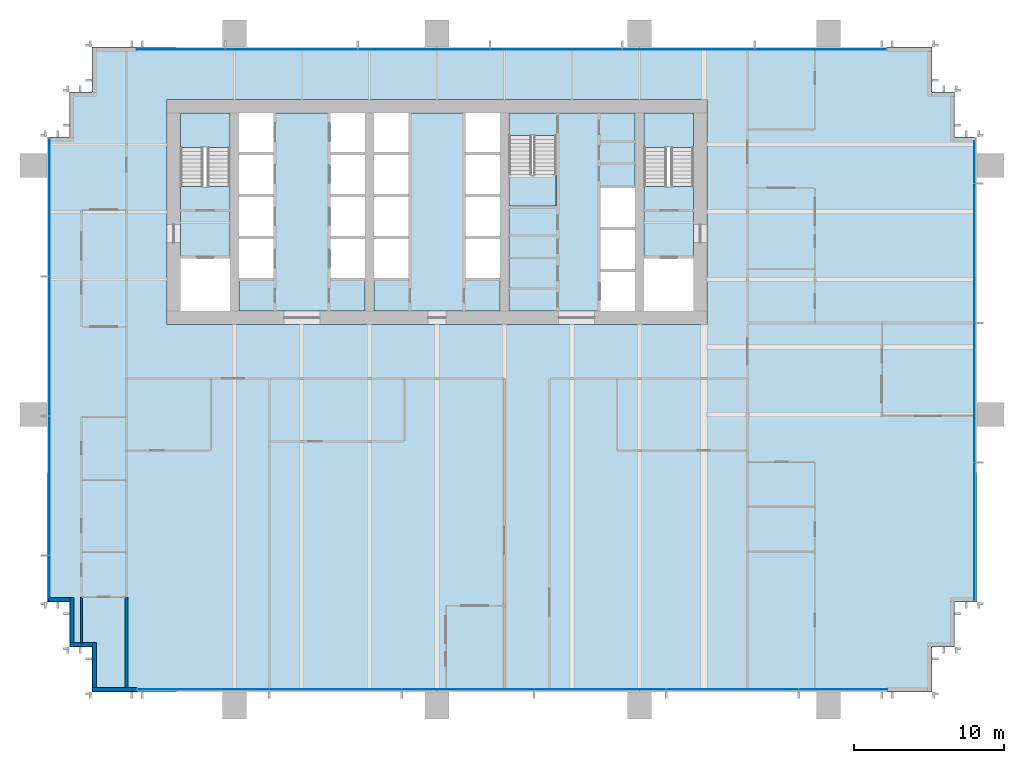
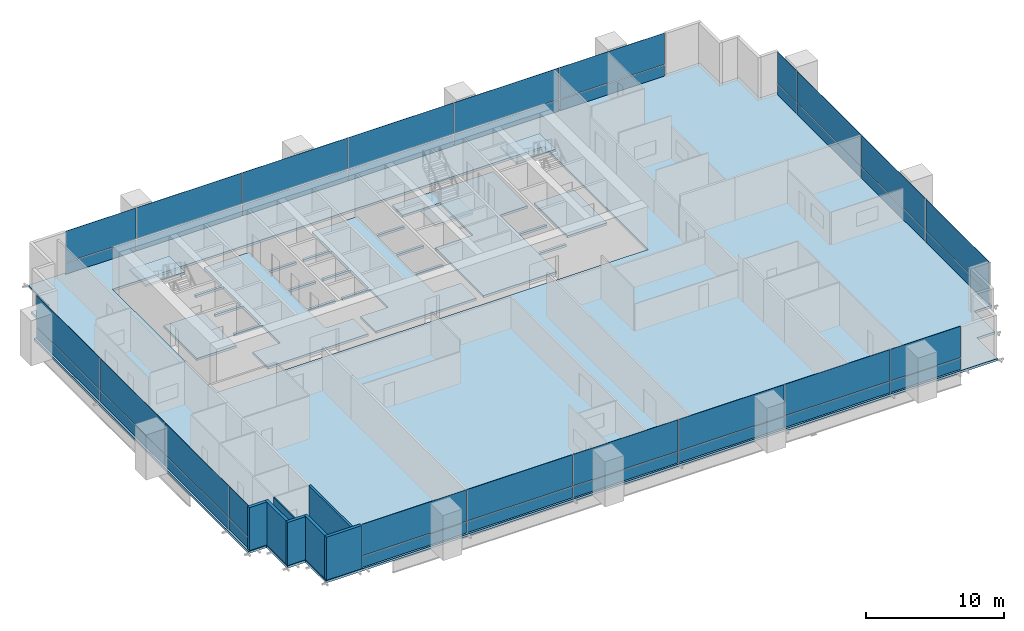
# One storey, part 11 of 17: 40 plates, 9 slabs, 7 walls, 7 elements without a shape of their own.
"""IFC4 building model written with IfcOpenShell, lengths in metres."""

from ifc_helpers import new_model, si_unit, direction, frame, frame_2d, origin, origin_2d, place, context, subcontext, project, spatial, polyline, rectangle, outline, extrude, material, layer, layer_set, type_object, element, aggregate, save


model = new_model("IFC4")

# Units and contexts
model_context = context("Model", 3, precision=1e-05, world=origin(), true_north=direction((0.0, 1.0)))
body_context = subcontext(model_context, "Body", "Model", "MODEL_VIEW")
ifc_project = project(units=[si_unit("LENGTHUNIT", "METRE"), si_unit("AREAUNIT", "SQUARE_METRE"), si_unit("VOLUMEUNIT", "CUBIC_METRE"), si_unit("PLANEANGLEUNIT", "RADIAN"), si_unit("MASSUNIT", "GRAM", prefix="KILO")], contexts=[model_context])

# Site, building, storey
site_placement = place(None, origin())
site = spatial("IfcSite", under=ifc_project, at=site_placement, CompositionType="ELEMENT")
building_placement = place(site_placement, origin())
building = spatial("IfcBuilding", under=site, at=building_placement, Name="Rattan Terrace Tower", CompositionType="ELEMENT")
storey_placement = place(building_placement, frame((0.0, 0.0, 95.699951171875)))
storey = spatial("IfcBuildingStorey", under=building, at=storey_placement, Name="L21", CompositionType="ELEMENT", Elevation=95.699951171875)

# Stair, slab
ifc_material_1 = material(Name="Concrete C40/50", Category="concrete")
stair_type = type_object("IfcStairType", Name="Core exit stair 1500", PredefinedType="HALF_TURN_STAIR", material=ifc_material_1)
stair_1_placement = place(storey_placement, origin())
stair_1 = element("IfcStair", 1, at=stair_1_placement, inside=storey, type_object=stair_type, Name="L21 exit stair 1", PredefinedType="HALF_TURN_STAIR")
ifc_material_2 = material(Name="Concrete C40/50", Category="concrete")
ifc_layer_1 = layer(ifc_material_2, 0.199951171875)
ifc_layer_set_1 = layer_set([ifc_layer_1], Name="Core exit stair landing")
slab_type_1 = type_object("IfcSlabType", Name="Core exit stair landing", PredefinedType="LANDING", material=ifc_layer_set_1)
slab_1_placement = place(storey_placement, frame((0.0, 0.0, 1.800048828125)))
slab_1 = element("IfcSlab", 2, at=slab_1_placement, type_object=slab_type_1, Name="S1 landing 1", PredefinedType="LANDING", context=body_context, shape_type="SweptSolid", body=[
    extrude(outline(polyline([(-13.800048828125, 4.300048828125), (-13.800048828125, 6.60009765625), (-17.10009765625, 6.60009765625), (-17.10009765625, 4.300048828125), (-13.800048828125, 4.300048828125)])), origin(), (0.0, 0.0, 1.0), 0.199951171875),
])
aggregate(stair_1, [slab_1])

stair_2_placement = place(storey_placement, origin())
stair_2 = element("IfcStair", 3, at=stair_2_placement, inside=storey, type_object=stair_type, Name="L21 exit stair 2", PredefinedType="HALF_TURN_STAIR")
slab_2_placement = place(storey_placement, frame((0.0, 0.0, 1.800048828125)))
slab_2 = element("IfcSlab", 4, at=slab_2_placement, type_object=slab_type_1, Name="S2 landing 1", PredefinedType="LANDING", context=body_context, shape_type="SweptSolid", body=[
    extrude(outline(polyline([(17.10009765625, 4.300048828125), (17.10009765625, 6.60009765625), (13.800048828125, 6.60009765625), (13.800048828125, 4.300048828125), (17.10009765625, 4.300048828125)])), origin(), (0.0, 0.0, 1.0), 0.199951171875),
])
aggregate(stair_2, [slab_2])

stair_3_placement = place(storey_placement, origin())
stair_3 = element("IfcStair", 5, at=stair_3_placement, inside=storey, type_object=stair_type, Name="L21 exit stair 3", PredefinedType="HALF_TURN_STAIR")
slab_3_placement = place(storey_placement, frame((0.0, 0.0, 1.800048828125)))
slab_3 = element("IfcSlab", 6, at=slab_3_placement, type_object=slab_type_1, Name="S3 landing 1", PredefinedType="LANDING", context=body_context, shape_type="SweptSolid", body=[
    extrude(outline(polyline([(4.800048828125, 2.5), (4.800048828125, 0.39990234375), (7.949951171875, 0.39990234375), (7.949951171875, 2.5), (4.800048828125, 2.5)])), origin(), (0.0, 0.0, 1.0), 0.199951171875),
])
aggregate(stair_3, [slab_3])

# Curtain wall, plates
ifc_material_3 = material(Name="Aluminium and glass", Category="aluminium")
curtain_wall_type = type_object("IfcCurtainWallType", Name="Facade Unitised Curtain Wall", PredefinedType="NOTDEFINED", material=ifc_material_3)
curtain_wall_1_placement = place(storey_placement, origin())
curtain_wall_1 = element("IfcCurtainWall", 7, at=curtain_wall_1_placement, inside=storey, type_object=curtain_wall_type, Name="Curtain wall L21-1", PredefinedType="NOTDEFINED")
ifc_material_4 = material(Name="Aluminium insulated spandrel panel", Category="aluminium")
ifc_layer_2 = layer(ifc_material_4, 0.028076171875)
ifc_layer_set_2 = layer_set([ifc_layer_2], Name="Facade CW Spandrel Panel")
plate_type_1 = type_object("IfcPlateType", Name="Facade CW Spandrel Panel", PredefinedType="CURTAIN_PANEL", material=ifc_layer_set_2)
plate_1_placement = place(storey_placement, frame((35.830078125, -21.3125, 0.0), z_axis=(0.0, 0.0, 1.0), x_axis=(0.0, 1.0, 0.0)))
plate_1 = element("IfcPlate", 8, at=plate_1_placement, type_object=plate_type_1, Name="Panel cwl-L21-001.1.1", PredefinedType="CURTAIN_PANEL", context=body_context, shape_type="SweptSolid", body=[
    extrude(rectangle(XDim=9.1650390625, YDim=0.028076171875, at=origin_2d()), origin(), (0.0, 0.0, 1.0), 0.969970703125),
])
plate_2_placement = place(storey_placement, frame((35.830078125, -12.050048828125, 0.0), z_axis=(0.0, 0.0, 1.0), x_axis=(0.0, 1.0, 0.0)))
plate_2 = element("IfcPlate", 9, at=plate_2_placement, type_object=plate_type_1, Name="Panel cwl-L21-001.2.1", PredefinedType="CURTAIN_PANEL", context=body_context, shape_type="SweptSolid", body=[
    extrude(rectangle(XDim=9.239990234375, YDim=0.028076171875, at=origin_2d()), origin(), (0.0, 0.0, 1.0), 0.969970703125),
])
plate_3_placement = place(storey_placement, frame((35.830078125, -2.75, 0.0), z_axis=(0.0, 0.0, 1.0), x_axis=(0.0, 1.0, 0.0)))
plate_3 = element("IfcPlate", 10, at=plate_3_placement, type_object=plate_type_1, Name="Panel cwl-L21-001.3.1", PredefinedType="CURTAIN_PANEL", context=body_context, shape_type="SweptSolid", body=[
    extrude(rectangle(XDim=9.239990234375, YDim=0.028076171875, at=origin_2d()), origin(), (0.0, 0.0, 1.0), 0.969970703125),
])
plate_4_placement = place(storey_placement, frame((35.830078125, 3.3173828125, 0.0), z_axis=(0.0, 0.0, 1.0), x_axis=(0.0, 1.0, 0.0)))
plate_4 = element("IfcPlate", 11, at=plate_4_placement, type_object=plate_type_1, Name="Panel cwl-L21-001.4.1", PredefinedType="CURTAIN_PANEL", context=body_context, shape_type="SweptSolid", body=[
    extrude(rectangle(XDim=2.77490234375, YDim=0.028076171875, at=origin_2d()), origin(), (0.0, 0.0, 1.0), 0.969970703125),
])

curtain_wall_2_placement = place(storey_placement, origin())
curtain_wall_2 = element("IfcCurtainWall", 12, at=curtain_wall_2_placement, inside=storey, type_object=curtain_wall_type, Name="Curtain wall L21-2", PredefinedType="NOTDEFINED")
plate_5_placement = place(storey_placement, frame((25.573486328125, 10.830078125, 0.0), z_axis=(0.0, 0.0, 1.0), x_axis=(-1.0, 0.0, 0.0)))
plate_5 = element("IfcPlate", 13, at=plate_5_placement, type_object=plate_type_1, Name="Panel cwl-L21-002.1.1", PredefinedType="CURTAIN_PANEL", context=body_context, shape_type="SweptSolid", body=[
    extrude(rectangle(XDim=8.73291015625, YDim=0.028076171875, at=origin_2d()), origin(), (0.0, 0.0, 1.0), 0.969970703125),
])
plate_6_placement = place(storey_placement, frame((16.765380859375, 10.830078125, 0.0), z_axis=(0.0, 0.0, 1.0), x_axis=(-1.0, 0.0, 0.0)))
plate_6 = element("IfcPlate", 14, at=plate_6_placement, type_object=plate_type_1, Name="Panel cwl-L21-002.2.1", PredefinedType="CURTAIN_PANEL", context=body_context, shape_type="SweptSolid", body=[
    extrude(rectangle(XDim=8.762939453125, YDim=0.028076171875, at=origin_2d()), origin(), (0.0, 0.0, 1.0), 0.969970703125),
])
plate_7_placement = place(storey_placement, frame((7.9423828125, 10.830078125, 0.0), z_axis=(0.0, 0.0, 1.0), x_axis=(-1.0, 0.0, 0.0)))
plate_7 = element("IfcPlate", 15, at=plate_7_placement, type_object=plate_type_1, Name="Panel cwl-L21-002.3.1", PredefinedType="CURTAIN_PANEL", context=body_context, shape_type="SweptSolid", body=[
    extrude(rectangle(XDim=8.762939453125, YDim=0.028076171875, at=origin_2d()), origin(), (0.0, 0.0, 1.0), 0.969970703125),
])
plate_8_placement = place(storey_placement, frame((-0.880615234375, 10.830078125, 0.0), z_axis=(0.0, 0.0, 1.0), x_axis=(-1.0, 0.0, 0.0)))
plate_8 = element("IfcPlate", 16, at=plate_8_placement, type_object=plate_type_1, Name="Panel cwl-L21-002.4.1", PredefinedType="CURTAIN_PANEL", context=body_context, shape_type="SweptSolid", body=[
    extrude(rectangle(XDim=8.762939453125, YDim=0.028076171875, at=origin_2d()), origin(), (0.0, 0.0, 1.0), 0.969970703125),
])
plate_9_placement = place(storey_placement, frame((-9.70361328125, 10.830078125, 0.0), z_axis=(0.0, 0.0, 1.0), x_axis=(-1.0, 0.0, 0.0)))
plate_9 = element("IfcPlate", 17, at=plate_9_placement, type_object=plate_type_1, Name="Panel cwl-L21-002.5.1", PredefinedType="CURTAIN_PANEL", context=body_context, shape_type="SweptSolid", body=[
    extrude(rectangle(XDim=8.762939453125, YDim=0.028076171875, at=origin_2d()), origin(), (0.0, 0.0, 1.0), 0.969970703125),
])
plate_10_placement = place(storey_placement, frame((-17.072509765625, 10.830078125, 0.0), z_axis=(0.0, 0.0, 1.0), x_axis=(-1.0, 0.0, 0.0)))
plate_10 = element("IfcPlate", 18, at=plate_10_placement, type_object=plate_type_1, Name="Panel cwl-L21-002.6.1", PredefinedType="CURTAIN_PANEL", context=body_context, shape_type="SweptSolid", body=[
    extrude(rectangle(XDim=5.85498046875, YDim=0.028076171875, at=origin_2d()), origin(), (0.0, 0.0, 1.0), 0.969970703125),
])

curtain_wall_3_placement = place(storey_placement, origin())
curtain_wall_3 = element("IfcCurtainWall", 19, at=curtain_wall_3_placement, inside=storey, type_object=curtain_wall_type, Name="Curtain wall L21-3", PredefinedType="NOTDEFINED")
plate_11_placement = place(storey_placement, frame((-25.830078125, 0.3125, 0.0), z_axis=(0.0, 0.0, 1.0), x_axis=(0.0, -1.0, 0.0)))
plate_11 = element("IfcPlate", 20, at=plate_11_placement, type_object=plate_type_1, Name="Panel cwl-L21-003.1.1", PredefinedType="CURTAIN_PANEL", context=body_context, shape_type="SweptSolid", body=[
    extrude(rectangle(XDim=9.1650390625, YDim=0.028076171875, at=origin_2d()), origin(), (0.0, 0.0, 1.0), 0.969970703125),
])
plate_12_placement = place(storey_placement, frame((-25.830078125, -8.949951171875, 0.0), z_axis=(0.0, 0.0, 1.0), x_axis=(0.0, -1.0, 0.0)))
plate_12 = element("IfcPlate", 21, at=plate_12_placement, type_object=plate_type_1, Name="Panel cwl-L21-003.2.1", PredefinedType="CURTAIN_PANEL", context=body_context, shape_type="SweptSolid", body=[
    extrude(rectangle(XDim=9.239990234375, YDim=0.028076171875, at=origin_2d()), origin(), (0.0, 0.0, 1.0), 0.969970703125),
])
plate_13_placement = place(storey_placement, frame((-25.830078125, -18.25, 0.0), z_axis=(0.0, 0.0, 1.0), x_axis=(0.0, -1.0, 0.0)))
plate_13 = element("IfcPlate", 22, at=plate_13_placement, type_object=plate_type_1, Name="Panel cwl-L21-003.3.1", PredefinedType="CURTAIN_PANEL", context=body_context, shape_type="SweptSolid", body=[
    extrude(rectangle(XDim=9.239990234375, YDim=0.028076171875, at=origin_2d()), origin(), (0.0, 0.0, 1.0), 0.969970703125),
])
plate_14_placement = place(storey_placement, frame((-25.830078125, -24.3173828125, 0.0), z_axis=(0.0, 0.0, 1.0), x_axis=(0.0, -1.0, 0.0)))
plate_14 = element("IfcPlate", 23, at=plate_14_placement, type_object=plate_type_1, Name="Panel cwl-L21-003.4.1", PredefinedType="CURTAIN_PANEL", context=body_context, shape_type="SweptSolid", body=[
    extrude(rectangle(XDim=2.77490234375, YDim=0.028076171875, at=origin_2d()), origin(), (0.0, 0.0, 1.0), 0.969970703125),
])

curtain_wall_4_placement = place(storey_placement, origin())
curtain_wall_4 = element("IfcCurtainWall", 24, at=curtain_wall_4_placement, inside=storey, type_object=curtain_wall_type, Name="Curtain wall L21-4", PredefinedType="NOTDEFINED")
plate_15_placement = place(storey_placement, frame((-15.573486328125, -31.830078125, 0.0), z_axis=(0.0, 0.0, 1.0), x_axis=(1.0, 0.0, 0.0)))
plate_15 = element("IfcPlate", 25, at=plate_15_placement, type_object=plate_type_1, Name="Panel cwl-L21-004.1.1", PredefinedType="CURTAIN_PANEL", context=body_context, shape_type="SweptSolid", body=[
    extrude(rectangle(XDim=8.73291015625, YDim=0.028076171875, at=origin_2d()), origin(), (0.0, 0.0, 1.0), 0.969970703125),
])
plate_16_placement = place(storey_placement, frame((-6.765380859375, -31.830078125, 0.0), z_axis=(0.0, 0.0, 1.0), x_axis=(1.0, 0.0, 0.0)))
plate_16 = element("IfcPlate", 26, at=plate_16_placement, type_object=plate_type_1, Name="Panel cwl-L21-004.2.1", PredefinedType="CURTAIN_PANEL", context=body_context, shape_type="SweptSolid", body=[
    extrude(rectangle(XDim=8.762939453125, YDim=0.028076171875, at=origin_2d()), origin(), (0.0, 0.0, 1.0), 0.969970703125),
])
plate_17_placement = place(storey_placement, frame((2.0576171875, -31.830078125, 0.0), z_axis=(0.0, 0.0, 1.0), x_axis=(1.0, 0.0, 0.0)))
plate_17 = element("IfcPlate", 27, at=plate_17_placement, type_object=plate_type_1, Name="Panel cwl-L21-004.3.1", PredefinedType="CURTAIN_PANEL", context=body_context, shape_type="SweptSolid", body=[
    extrude(rectangle(XDim=8.762939453125, YDim=0.028076171875, at=origin_2d()), origin(), (0.0, 0.0, 1.0), 0.969970703125),
])
plate_18_placement = place(storey_placement, frame((10.880615234375, -31.830078125, 0.0), z_axis=(0.0, 0.0, 1.0), x_axis=(1.0, 0.0, 0.0)))
plate_18 = element("IfcPlate", 28, at=plate_18_placement, type_object=plate_type_1, Name="Panel cwl-L21-004.4.1", PredefinedType="CURTAIN_PANEL", context=body_context, shape_type="SweptSolid", body=[
    extrude(rectangle(XDim=8.762939453125, YDim=0.028076171875, at=origin_2d()), origin(), (0.0, 0.0, 1.0), 0.969970703125),
])
plate_19_placement = place(storey_placement, frame((19.70361328125, -31.830078125, 0.0), z_axis=(0.0, 0.0, 1.0), x_axis=(1.0, 0.0, 0.0)))
plate_19 = element("IfcPlate", 29, at=plate_19_placement, type_object=plate_type_1, Name="Panel cwl-L21-004.5.1", PredefinedType="CURTAIN_PANEL", context=body_context, shape_type="SweptSolid", body=[
    extrude(rectangle(XDim=8.762939453125, YDim=0.028076171875, at=origin_2d()), origin(), (0.0, 0.0, 1.0), 0.969970703125),
])
plate_20_placement = place(storey_placement, frame((27.072509765625, -31.830078125, 0.0), z_axis=(0.0, 0.0, 1.0), x_axis=(1.0, 0.0, 0.0)))
plate_20 = element("IfcPlate", 30, at=plate_20_placement, type_object=plate_type_1, Name="Panel cwl-L21-004.6.1", PredefinedType="CURTAIN_PANEL", context=body_context, shape_type="SweptSolid", body=[
    extrude(rectangle(XDim=5.85498046875, YDim=0.028076171875, at=origin_2d()), origin(), (0.0, 0.0, 1.0), 0.969970703125),
])

# Plate
ifc_material_5 = material(Name="Clear low-iron glass", Category="glass")
ifc_layer_3 = layer(ifc_material_5, 0.028076171875)
ifc_layer_set_3 = layer_set([ifc_layer_3], Name="Facade CW Vision Panel")
plate_type_2 = type_object("IfcPlateType", Name="Facade CW Vision Panel", PredefinedType="CURTAIN_PANEL", material=ifc_layer_set_3)
plate_21_placement = place(storey_placement, frame((35.830078125, -21.3125, 1.030029296875), z_axis=(0.0, 0.0, 1.0), x_axis=(0.0, 1.0, 0.0)))
plate_21 = element("IfcPlate", 31, at=plate_21_placement, type_object=plate_type_2, Name="Panel cwl-L21-001.1.2", PredefinedType="CURTAIN_PANEL", context=body_context, shape_type="SweptSolid", body=[
    extrude(rectangle(XDim=9.1650390625, YDim=0.028076171875, at=origin_2d()), origin(), (0.0, 0.0, 1.0), 2.77001953125),
])

plate_22_placement = place(storey_placement, frame((35.830078125, -12.050048828125, 1.030029296875), z_axis=(0.0, 0.0, 1.0), x_axis=(0.0, 1.0, 0.0)))
plate_22 = element("IfcPlate", 32, at=plate_22_placement, type_object=plate_type_2, Name="Panel cwl-L21-001.2.2", PredefinedType="CURTAIN_PANEL", context=body_context, shape_type="SweptSolid", body=[
    extrude(rectangle(XDim=9.239990234375, YDim=0.028076171875, at=origin_2d()), origin(), (0.0, 0.0, 1.0), 2.77001953125),
])

plate_23_placement = place(storey_placement, frame((35.830078125, -2.75, 1.030029296875), z_axis=(0.0, 0.0, 1.0), x_axis=(0.0, 1.0, 0.0)))
plate_23 = element("IfcPlate", 33, at=plate_23_placement, type_object=plate_type_2, Name="Panel cwl-L21-001.3.2", PredefinedType="CURTAIN_PANEL", context=body_context, shape_type="SweptSolid", body=[
    extrude(rectangle(XDim=9.239990234375, YDim=0.028076171875, at=origin_2d()), origin(), (0.0, 0.0, 1.0), 2.77001953125),
])

plate_24_placement = place(storey_placement, frame((35.830078125, 3.3173828125, 1.030029296875), z_axis=(0.0, 0.0, 1.0), x_axis=(0.0, 1.0, 0.0)))
plate_24 = element("IfcPlate", 34, at=plate_24_placement, type_object=plate_type_2, Name="Panel cwl-L21-001.4.2", PredefinedType="CURTAIN_PANEL", context=body_context, shape_type="SweptSolid", body=[
    extrude(rectangle(XDim=2.77490234375, YDim=0.028076171875, at=origin_2d()), origin(), (0.0, 0.0, 1.0), 2.77001953125),
])

aggregate(curtain_wall_1, [plate_1, plate_21, plate_2, plate_22, plate_3, plate_23, plate_4, plate_24])

plate_25_placement = place(storey_placement, frame((25.573486328125, 10.830078125, 1.030029296875), z_axis=(0.0, 0.0, 1.0), x_axis=(-1.0, 0.0, 0.0)))
plate_25 = element("IfcPlate", 35, at=plate_25_placement, type_object=plate_type_2, Name="Panel cwl-L21-002.1.2", PredefinedType="CURTAIN_PANEL", context=body_context, shape_type="SweptSolid", body=[
    extrude(rectangle(XDim=8.73291015625, YDim=0.028076171875, at=origin_2d()), origin(), (0.0, 0.0, 1.0), 2.77001953125),
])

plate_26_placement = place(storey_placement, frame((16.765380859375, 10.830078125, 1.030029296875), z_axis=(0.0, 0.0, 1.0), x_axis=(-1.0, 0.0, 0.0)))
plate_26 = element("IfcPlate", 36, at=plate_26_placement, type_object=plate_type_2, Name="Panel cwl-L21-002.2.2", PredefinedType="CURTAIN_PANEL", context=body_context, shape_type="SweptSolid", body=[
    extrude(rectangle(XDim=8.762939453125, YDim=0.028076171875, at=origin_2d()), origin(), (0.0, 0.0, 1.0), 2.77001953125),
])

plate_27_placement = place(storey_placement, frame((7.9423828125, 10.830078125, 1.030029296875), z_axis=(0.0, 0.0, 1.0), x_axis=(-1.0, 0.0, 0.0)))
plate_27 = element("IfcPlate", 37, at=plate_27_placement, type_object=plate_type_2, Name="Panel cwl-L21-002.3.2", PredefinedType="CURTAIN_PANEL", context=body_context, shape_type="SweptSolid", body=[
    extrude(rectangle(XDim=8.762939453125, YDim=0.028076171875, at=origin_2d()), origin(), (0.0, 0.0, 1.0), 2.77001953125),
])

plate_28_placement = place(storey_placement, frame((-0.880615234375, 10.830078125, 1.030029296875), z_axis=(0.0, 0.0, 1.0), x_axis=(-1.0, 0.0, 0.0)))
plate_28 = element("IfcPlate", 38, at=plate_28_placement, type_object=plate_type_2, Name="Panel cwl-L21-002.4.2", PredefinedType="CURTAIN_PANEL", context=body_context, shape_type="SweptSolid", body=[
    extrude(rectangle(XDim=8.762939453125, YDim=0.028076171875, at=origin_2d()), origin(), (0.0, 0.0, 1.0), 2.77001953125),
])

plate_29_placement = place(storey_placement, frame((-9.70361328125, 10.830078125, 1.030029296875), z_axis=(0.0, 0.0, 1.0), x_axis=(-1.0, 0.0, 0.0)))
plate_29 = element("IfcPlate", 39, at=plate_29_placement, type_object=plate_type_2, Name="Panel cwl-L21-002.5.2", PredefinedType="CURTAIN_PANEL", context=body_context, shape_type="SweptSolid", body=[
    extrude(rectangle(XDim=8.762939453125, YDim=0.028076171875, at=origin_2d()), origin(), (0.0, 0.0, 1.0), 2.77001953125),
])

plate_30_placement = place(storey_placement, frame((-17.072509765625, 10.830078125, 1.030029296875), z_axis=(0.0, 0.0, 1.0), x_axis=(-1.0, 0.0, 0.0)))
plate_30 = element("IfcPlate", 40, at=plate_30_placement, type_object=plate_type_2, Name="Panel cwl-L21-002.6.2", PredefinedType="CURTAIN_PANEL", context=body_context, shape_type="SweptSolid", body=[
    extrude(rectangle(XDim=5.85498046875, YDim=0.028076171875, at=origin_2d()), origin(), (0.0, 0.0, 1.0), 2.77001953125),
])

aggregate(curtain_wall_2, [plate_5, plate_25, plate_6, plate_26, plate_7, plate_27, plate_8, plate_28, plate_9, plate_29, plate_10, plate_30])

plate_31_placement = place(storey_placement, frame((-25.830078125, 0.3125, 1.030029296875), z_axis=(0.0, 0.0, 1.0), x_axis=(0.0, -1.0, 0.0)))
plate_31 = element("IfcPlate", 41, at=plate_31_placement, type_object=plate_type_2, Name="Panel cwl-L21-003.1.2", PredefinedType="CURTAIN_PANEL", context=body_context, shape_type="SweptSolid", body=[
    extrude(rectangle(XDim=9.1650390625, YDim=0.028076171875, at=origin_2d()), origin(), (0.0, 0.0, 1.0), 2.77001953125),
])

plate_32_placement = place(storey_placement, frame((-25.830078125, -8.949951171875, 1.030029296875), z_axis=(0.0, 0.0, 1.0), x_axis=(0.0, -1.0, 0.0)))
plate_32 = element("IfcPlate", 42, at=plate_32_placement, type_object=plate_type_2, Name="Panel cwl-L21-003.2.2", PredefinedType="CURTAIN_PANEL", context=body_context, shape_type="SweptSolid", body=[
    extrude(rectangle(XDim=9.239990234375, YDim=0.028076171875, at=origin_2d()), origin(), (0.0, 0.0, 1.0), 2.77001953125),
])

plate_33_placement = place(storey_placement, frame((-25.830078125, -18.25, 1.030029296875), z_axis=(0.0, 0.0, 1.0), x_axis=(0.0, -1.0, 0.0)))
plate_33 = element("IfcPlate", 43, at=plate_33_placement, type_object=plate_type_2, Name="Panel cwl-L21-003.3.2", PredefinedType="CURTAIN_PANEL", context=body_context, shape_type="SweptSolid", body=[
    extrude(rectangle(XDim=9.239990234375, YDim=0.028076171875, at=origin_2d()), origin(), (0.0, 0.0, 1.0), 2.77001953125),
])

plate_34_placement = place(storey_placement, frame((-25.830078125, -24.3173828125, 1.030029296875), z_axis=(0.0, 0.0, 1.0), x_axis=(0.0, -1.0, 0.0)))
plate_34 = element("IfcPlate", 44, at=plate_34_placement, type_object=plate_type_2, Name="Panel cwl-L21-003.4.2", PredefinedType="CURTAIN_PANEL", context=body_context, shape_type="SweptSolid", body=[
    extrude(rectangle(XDim=2.77490234375, YDim=0.028076171875, at=origin_2d()), origin(), (0.0, 0.0, 1.0), 2.77001953125),
])

aggregate(curtain_wall_3, [plate_11, plate_31, plate_12, plate_32, plate_13, plate_33, plate_14, plate_34])

plate_35_placement = place(storey_placement, frame((-15.573486328125, -31.830078125, 1.030029296875), z_axis=(0.0, 0.0, 1.0), x_axis=(1.0, 0.0, 0.0)))
plate_35 = element("IfcPlate", 45, at=plate_35_placement, type_object=plate_type_2, Name="Panel cwl-L21-004.1.2", PredefinedType="CURTAIN_PANEL", context=body_context, shape_type="SweptSolid", body=[
    extrude(rectangle(XDim=8.73291015625, YDim=0.028076171875, at=origin_2d()), origin(), (0.0, 0.0, 1.0), 2.77001953125),
])

plate_36_placement = place(storey_placement, frame((-6.765380859375, -31.830078125, 1.030029296875), z_axis=(0.0, 0.0, 1.0), x_axis=(1.0, 0.0, 0.0)))
plate_36 = element("IfcPlate", 46, at=plate_36_placement, type_object=plate_type_2, Name="Panel cwl-L21-004.2.2", PredefinedType="CURTAIN_PANEL", context=body_context, shape_type="SweptSolid", body=[
    extrude(rectangle(XDim=8.762939453125, YDim=0.028076171875, at=origin_2d()), origin(), (0.0, 0.0, 1.0), 2.77001953125),
])

plate_37_placement = place(storey_placement, frame((2.0576171875, -31.830078125, 1.030029296875), z_axis=(0.0, 0.0, 1.0), x_axis=(1.0, 0.0, 0.0)))
plate_37 = element("IfcPlate", 47, at=plate_37_placement, type_object=plate_type_2, Name="Panel cwl-L21-004.3.2", PredefinedType="CURTAIN_PANEL", context=body_context, shape_type="SweptSolid", body=[
    extrude(rectangle(XDim=8.762939453125, YDim=0.028076171875, at=origin_2d()), origin(), (0.0, 0.0, 1.0), 2.77001953125),
])

plate_38_placement = place(storey_placement, frame((10.880615234375, -31.830078125, 1.030029296875), z_axis=(0.0, 0.0, 1.0), x_axis=(1.0, 0.0, 0.0)))
plate_38 = element("IfcPlate", 48, at=plate_38_placement, type_object=plate_type_2, Name="Panel cwl-L21-004.4.2", PredefinedType="CURTAIN_PANEL", context=body_context, shape_type="SweptSolid", body=[
    extrude(rectangle(XDim=8.762939453125, YDim=0.028076171875, at=origin_2d()), origin(), (0.0, 0.0, 1.0), 2.77001953125),
])

plate_39_placement = place(storey_placement, frame((19.70361328125, -31.830078125, 1.030029296875), z_axis=(0.0, 0.0, 1.0), x_axis=(1.0, 0.0, 0.0)))
plate_39 = element("IfcPlate", 49, at=plate_39_placement, type_object=plate_type_2, Name="Panel cwl-L21-004.5.2", PredefinedType="CURTAIN_PANEL", context=body_context, shape_type="SweptSolid", body=[
    extrude(rectangle(XDim=8.762939453125, YDim=0.028076171875, at=origin_2d()), origin(), (0.0, 0.0, 1.0), 2.77001953125),
])

plate_40_placement = place(storey_placement, frame((27.072509765625, -31.830078125, 1.030029296875), z_axis=(0.0, 0.0, 1.0), x_axis=(1.0, 0.0, 0.0)))
plate_40 = element("IfcPlate", 50, at=plate_40_placement, type_object=plate_type_2, Name="Panel cwl-L21-004.6.2", PredefinedType="CURTAIN_PANEL", context=body_context, shape_type="SweptSolid", body=[
    extrude(rectangle(XDim=5.85498046875, YDim=0.028076171875, at=origin_2d()), origin(), (0.0, 0.0, 1.0), 2.77001953125),
])

aggregate(curtain_wall_4, [plate_15, plate_35, plate_16, plate_36, plate_17, plate_37, plate_18, plate_38, plate_19, plate_39, plate_20, plate_40])

# Slabs
ifc_material_6 = material(Name="Concrete C35/45", Category="concrete")
ifc_layer_4 = layer(ifc_material_6, 0.199951171875)
ifc_layer_set_4 = layer_set([ifc_layer_4], Name="Frame composite floor slab 200")
slab_type_2 = type_object("IfcSlabType", Name="Frame composite floor slab 200", PredefinedType="FLOOR", material=ifc_layer_set_4)
slab_4_placement = place(storey_placement, frame((0.0, 0.0, -0.199951171875)))
element("IfcSlab", 51, at=slab_4_placement, inside=storey, type_object=slab_type_2, Name="Floor slab", PredefinedType="FLOOR", context=body_context, shape_type="SweptSolid", body=[
    extrude(outline(polyline([(-20.0, -32.0), (30.0, -32.0), (33.0, -32.0), (33.0, -29.0), (34.5, -29.0), (34.5, -26.0), (36.0, -26.0), (36.0, 5.0), (34.5, 5.0), (34.5, 8.0), (33.0, 8.0), (33.0, 11.0), (30.0, 11.0), (-20.0, 11.0), (-23.0, 11.0), (-23.0, 8.0), (-24.5, 8.0), (-24.5, 5.0), (-26.0, 5.0), (-26.0, -26.0), (-24.5, -26.0), (-24.5, -29.0), (-23.0, -29.0), (-23.0, -32.0), (-20.0, -32.0)]), holes=[polyline([(-18.0, -6.60009765625), (-18.0, -7.5), (18.0, -7.5), (18.0, -6.60009765625), (18.0, 6.60009765625), (18.0, 7.5), (-18.0, 7.5), (-18.0, 6.60009765625), (-18.0, -6.60009765625)])]), origin(), (0.0, 0.0, 1.0), 0.199951171875),
])
slab_5_placement = place(storey_placement, frame((0.0, 0.0, -0.199951171875)))
element("IfcSlab", 52, at=slab_5_placement, inside=storey, type_object=slab_type_2, Name="Floor slab", PredefinedType="FLOOR", context=body_context, shape_type="SweptSolid", body=[
    extrude(outline(polyline([(-10.89990234375, 6.60009765625), (-10.89990234375, 4.0), (-13.199951171875, 4.0), (-13.199951171875, 3.800048828125), (-10.89990234375, 3.800048828125), (-10.89990234375, 1.199951171875), (-13.199951171875, 1.199951171875), (-13.199951171875, 1.0), (-10.89990234375, 1.0), (-10.89990234375, -1.60009765625), (-13.199951171875, -1.60009765625), (-13.199951171875, -1.800048828125), (-10.89990234375, -1.800048828125), (-10.89990234375, -4.39990234375), (-13.199951171875, -4.39990234375), (-13.199951171875, -6.60009765625), (-4.800048828125, -6.60009765625), (-4.800048828125, -4.39990234375), (-7.10009765625, -4.39990234375), (-7.10009765625, -1.800048828125), (-4.800048828125, -1.800048828125), (-4.800048828125, -1.60009765625), (-7.10009765625, -1.60009765625), (-7.10009765625, 1.0), (-4.800048828125, 1.0), (-4.800048828125, 1.199951171875), (-7.10009765625, 1.199951171875), (-7.10009765625, 3.800048828125), (-4.800048828125, 3.800048828125), (-4.800048828125, 4.0), (-7.10009765625, 4.0), (-7.10009765625, 6.60009765625), (-10.89990234375, 6.60009765625)])), origin(), (0.0, 0.0, 1.0), 0.199951171875),
])
slab_6_placement = place(storey_placement, frame((0.0, 0.0, -0.199951171875)))
element("IfcSlab", 53, at=slab_6_placement, inside=storey, type_object=slab_type_2, Name="Floor slab", PredefinedType="FLOOR", context=body_context, shape_type="SweptSolid", body=[
    extrude(outline(polyline([(-17.10009765625, -3.10009765625), (-13.800048828125, -3.10009765625), (-13.800048828125, 1.7099609375), (-17.10009765625, 1.7099609375), (-17.10009765625, -3.10009765625)])), origin(), (0.0, 0.0, 1.0), 0.199951171875),
])
slab_7_placement = place(storey_placement, frame((0.0, 0.0, -0.199951171875)))
element("IfcSlab", 54, at=slab_7_placement, inside=storey, type_object=slab_type_2, Name="Floor slab", PredefinedType="FLOOR", context=body_context, shape_type="SweptSolid", body=[
    extrude(outline(polyline([(-4.199951171875, 4.0), (-4.199951171875, 3.800048828125), (-1.89990234375, 3.800048828125), (-1.89990234375, 1.199951171875), (-4.199951171875, 1.199951171875), (-4.199951171875, 1.0), (-1.89990234375, 1.0), (-1.89990234375, -1.60009765625), (-4.199951171875, -1.60009765625), (-4.199951171875, -1.800048828125), (-1.89990234375, -1.800048828125), (-1.89990234375, -4.39990234375), (-4.199951171875, -4.39990234375), (-4.199951171875, -6.60009765625), (4.199951171875, -6.60009765625), (4.199951171875, -4.39990234375), (1.89990234375, -4.39990234375), (1.89990234375, -1.800048828125), (4.199951171875, -1.800048828125), (4.199951171875, -1.60009765625), (1.89990234375, -1.60009765625), (1.89990234375, 1.0), (4.199951171875, 1.0), (4.199951171875, 1.199951171875), (1.89990234375, 1.199951171875), (1.89990234375, 3.800048828125), (4.199951171875, 3.800048828125), (4.199951171875, 4.0), (1.89990234375, 4.0), (1.89990234375, 6.60009765625), (-1.89990234375, 6.60009765625), (-1.89990234375, 4.0), (-4.199951171875, 4.0)])), origin(), (0.0, 0.0, 1.0), 0.199951171875),
])
slab_8_placement = place(storey_placement, frame((0.0, 0.0, -0.199951171875)))
element("IfcSlab", 55, at=slab_8_placement, inside=storey, type_object=slab_type_2, Name="Floor slab", PredefinedType="FLOOR", context=body_context, shape_type="SweptSolid", body=[
    extrude(outline(polyline([(4.800048828125, 5.090087890625), (7.949951171875, 5.090087890625), (7.949951171875, 0.39990234375), (4.800048828125, 0.39990234375), (4.800048828125, -6.60009765625), (10.89990234375, -6.60009765625), (10.89990234375, -4.0), (13.199951171875, -4.0), (13.199951171875, -3.800048828125), (10.89990234375, -3.800048828125), (10.89990234375, -1.199951171875), (13.199951171875, -1.199951171875), (13.199951171875, -1.0), (10.89990234375, -1.0), (10.89990234375, 1.60009765625), (13.199951171875, 1.60009765625), (13.199951171875, 6.60009765625), (4.800048828125, 6.60009765625), (4.800048828125, 5.090087890625)])), origin(), (0.0, 0.0, 1.0), 0.199951171875),
])
slab_9_placement = place(storey_placement, frame((0.0, 0.0, -0.199951171875)))
element("IfcSlab", 56, at=slab_9_placement, inside=storey, type_object=slab_type_2, Name="Floor slab", PredefinedType="FLOOR", context=body_context, shape_type="SweptSolid", body=[
    extrude(outline(polyline([(13.800048828125, -3.10009765625), (17.10009765625, -3.10009765625), (17.10009765625, 1.7099609375), (13.800048828125, 1.7099609375), (13.800048828125, -3.10009765625)])), origin(), (0.0, 0.0, 1.0), 0.199951171875),
])

# Walls
ifc_material_7 = material(Name="Insulated aluminium-clad stud wall", Category="aluminium")
ifc_layer_5 = layer(ifc_material_7, 0.25)
ifc_layer_set_5 = layer_set([ifc_layer_5], Name="Facade Riser Wall 250")
wall_type_1 = type_object("IfcWallType", Name="Facade Riser Wall 250", PredefinedType="SOLIDWALL", material=ifc_layer_set_5)
wall_1_placement = place(storey_placement, frame((-25.909912109375, -25.830078125, 0.0), z_axis=(0.0, 0.0, 1.0), x_axis=(1.0, 0.0, 0.0)))
element("IfcWall", 57, at=wall_1_placement, inside=storey, type_object=wall_type_1, Name="Riser wall L21-16", PredefinedType="SOLIDWALL", context=body_context, shape_type="SweptSolid", body=[
    extrude(rectangle(XDim=1.454833984375, YDim=0.25, at=frame_2d((0.7275390625, 0.0))), origin(), (0.0, 0.0, 1.0), 3.800048828125),
])
wall_2_placement = place(storey_placement, frame((-24.330078125, -25.705078125, 0.0), z_axis=(0.0, 0.0, 1.0), x_axis=(0.0, -1.0, 0.0)))
element("IfcWall", 58, at=wall_2_placement, inside=storey, type_object=wall_type_1, Name="Riser wall L21-17", PredefinedType="SOLIDWALL", context=body_context, shape_type="SweptSolid", body=[
    extrude(rectangle(XDim=3.0, YDim=0.25, at=frame_2d((1.5, 0.0))), origin(), (0.0, 0.0, 1.0), 3.800048828125),
])
wall_3_placement = place(storey_placement, frame((-24.455078125, -28.830078125, 0.0), z_axis=(0.0, 0.0, 1.0), x_axis=(1.0, 0.0, 0.0)))
element("IfcWall", 59, at=wall_3_placement, inside=storey, type_object=wall_type_1, Name="Riser wall L21-18", PredefinedType="SOLIDWALL", context=body_context, shape_type="SweptSolid", body=[
    extrude(rectangle(XDim=1.5, YDim=0.25, at=frame_2d((0.75, 0.0))), origin(), (0.0, 0.0, 1.0), 3.800048828125),
])
wall_4_placement = place(storey_placement, frame((-22.830078125, -28.705078125, 0.0), z_axis=(0.0, 0.0, 1.0), x_axis=(0.0, -1.0, 0.0)))
element("IfcWall", 60, at=wall_4_placement, inside=storey, type_object=wall_type_1, Name="Riser wall L21-19", PredefinedType="SOLIDWALL", context=body_context, shape_type="SweptSolid", body=[
    extrude(rectangle(XDim=3.0, YDim=0.25, at=frame_2d((1.5, 0.0))), origin(), (0.0, 0.0, 1.0), 3.800048828125),
])
wall_5_placement = place(storey_placement, frame((-22.955078125, -31.830078125, 0.0), z_axis=(0.0, 0.0, 1.0), x_axis=(1.0, 0.0, 0.0)))
element("IfcWall", 61, at=wall_5_placement, inside=storey, type_object=wall_type_1, Name="Riser wall L21-20", PredefinedType="SOLIDWALL", context=body_context, shape_type="SweptSolid", body=[
    extrude(rectangle(XDim=2.955078125, YDim=0.25, at=frame_2d((1.4775390625, 0.0))), origin(), (0.0, 0.0, 1.0), 3.800048828125),
])
ifc_material_8 = material(Name="Double steel stud acoustic partition, gypsum board, mineral wool, fire rated", Category="steel")
ifc_layer_6 = layer(ifc_material_8, 0.179931640625)
ifc_layer_set_6 = layer_set([ifc_layer_6], Name="Floors Acoustic Party Wall 180")
wall_type_2 = type_object("IfcWallType", Name="Floors Acoustic Party Wall 180", PredefinedType="PARTITIONING", material=ifc_layer_set_6)
wall_6_placement = place(storey_placement, frame((-20.699951171875, -25.659912109375, 0.0), z_axis=(0.0, 0.0, 1.0), x_axis=(0.0, -1.0, 0.0)))
element("IfcWall", 62, at=wall_6_placement, inside=storey, type_object=wall_type_2, Name="pt-L21-028", PredefinedType="PARTITIONING", context=body_context, shape_type="SweptSolid", body=[
    extrude(rectangle(XDim=6.080078125, YDim=0.179931640625, at=frame_2d((3.0400390625, 0.0))), origin(), (0.0, 0.0, 1.0), 3.800048828125),
])
ifc_material_9 = material(Name="Gypsum board partition on steel studs", Category="steel")
ifc_layer_7 = layer(ifc_material_9, 0.10009765625)
ifc_layer_set_7 = layer_set([ifc_layer_7], Name="Floors Partition 100")
wall_type_3 = type_object("IfcWallType", Name="Floors Partition 100", PredefinedType="PARTITIONING", material=ifc_layer_set_7)
wall_7_placement = place(storey_placement, frame((-23.699951171875, -25.679931640625, 0.0), z_axis=(0.0, 0.0, 1.0), x_axis=(0.0, -1.0, 0.0)))
element("IfcWall", 63, at=wall_7_placement, inside=storey, type_object=wall_type_3, Name="pt-L21-018", PredefinedType="PARTITIONING", context=body_context, shape_type="SweptSolid", body=[
    extrude(rectangle(XDim=3.06005859375, YDim=0.10009765625, at=frame_2d((1.530029296875, 0.0))), origin(), (0.0, 0.0, 1.0), 3.800048828125),
])

save(model, "model.ifc")
